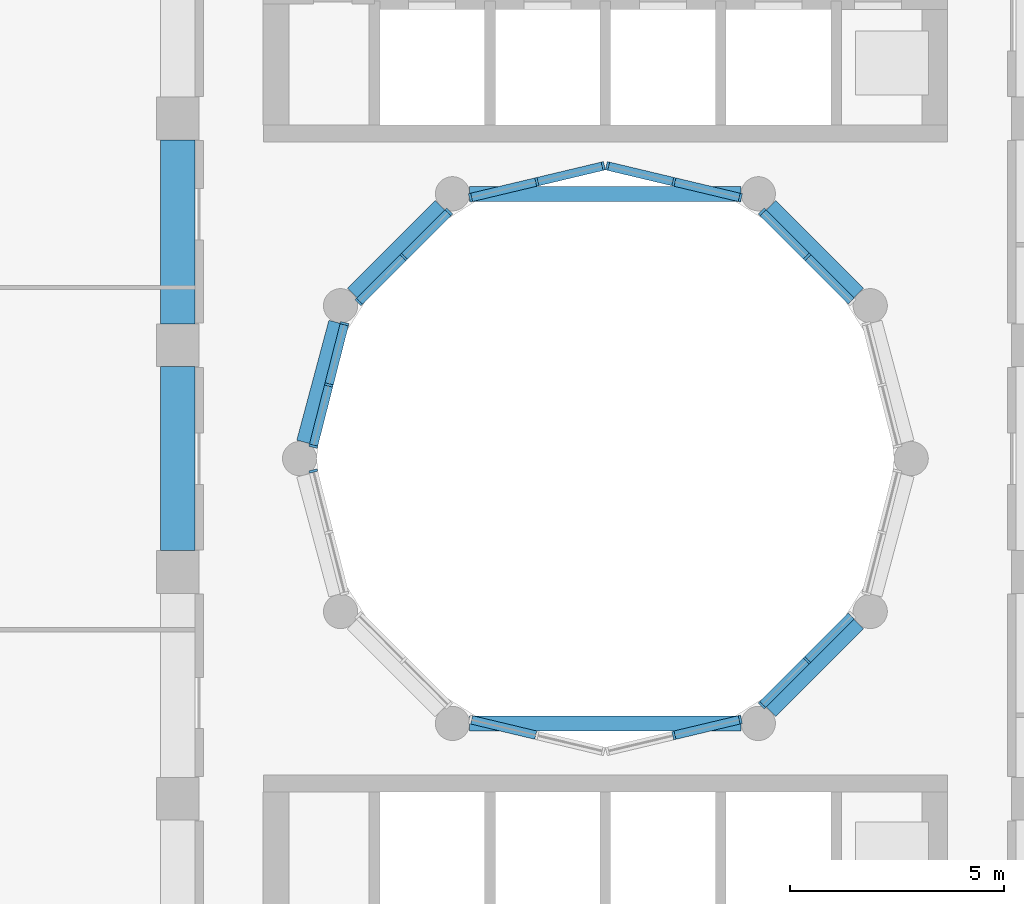
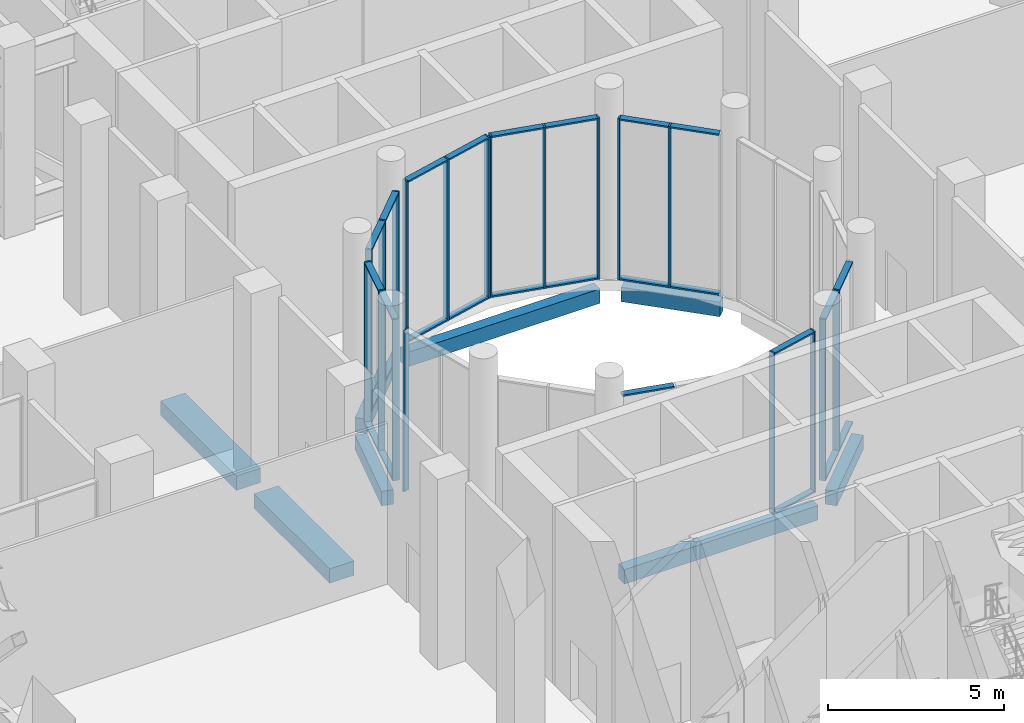
# One storey, part 3 of 21: 46 members, 8 beams, 9 elements without a shape of their own.
"""IFC4 building model written with IfcOpenShell, lengths in metres."""

from ifc_helpers import new_model, si_unit, direction, frame, origin, origin_2d, place, context, subcontext, project, spatial, rectangle, extrude, material, layer, layer_set, material_profile, profile_set, type_object, element, aggregate, save


model = new_model("IFC4")

# Units and contexts
model_context = context("Model", 3, precision=1e-05, world=origin(), true_north=direction((0.0, 1.0)))
body_context = subcontext(model_context, "Body", "Model", "MODEL_VIEW")
ifc_project = project(units=[si_unit("LENGTHUNIT", "METRE"), si_unit("AREAUNIT", "SQUARE_METRE"), si_unit("VOLUMEUNIT", "CUBIC_METRE"), si_unit("PLANEANGLEUNIT", "RADIAN"), si_unit("MASSUNIT", "GRAM", prefix="KILO")], contexts=[model_context])

# Site, building, storey
site_placement = place(None, origin())
site = spatial("IfcSite", under=ifc_project, at=site_placement, CompositionType="ELEMENT")
building_placement = place(site_placement, origin())
building = spatial("IfcBuilding", under=site, at=building_placement, Name="Nakaniwa Court", CompositionType="ELEMENT")
storey_placement = place(building_placement, frame((0.0, 0.0, 120.60009765625)))
storey = spatial("IfcBuildingStorey", under=building, at=storey_placement, Name="S2", CompositionType="ELEMENT", Elevation=120.60009765625)

# Curtain wall, members
ifc_material_1 = material(Name="Black anodised aluminium frame with dark low-E laminated double glazing", Category="aluminium")
ifc_layer = layer(ifc_material_1, 0.199951171875)
ifc_layer_set = layer_set([ifc_layer], Name="Black anodised aluminium frame with dark low-E laminated double glazing")
curtain_wall_type = type_object("IfcCurtainWallType", Name="Amenity and sky level curtain wall", PredefinedType="NOTDEFINED", material=ifc_layer_set)
curtain_wall_1_placement = place(storey_placement, origin())
curtain_wall_1 = element("IfcCurtainWall", 1, at=curtain_wall_1_placement, inside=storey, type_object=curtain_wall_type, Name="S2 curtain wall CW3 37", PredefinedType="NOTDEFINED")
ifc_material_2 = material(Name="Black anodised aluminium extrusion", Category="aluminium")
ifc_material_profile_1 = material_profile(ifc_material_2, rectangle(XDim=0.199951171875, YDim=0.054931640625, at=origin_2d()), Name="Amenity and sky level curtain wall mullion 55x200")
ifc_profile_set_1 = profile_set([ifc_material_profile_1], Name="Black anodised aluminium extrusion")
member_type_1 = type_object("IfcMemberType", Name="Amenity and sky level curtain wall mullion 55x200", PredefinedType="MULLION", material=ifc_profile_set_1)
member_1_placement = place(storey_placement, frame((84.715576171875, 75.284423828125, 0.0), z_axis=(0.0, 0.0, 1.0), x_axis=(0.707106781187, -0.707106781187, 0.0)))
member_1 = element("IfcMember", 2, at=member_1_placement, type_object=member_type_1, Name="CW3 mullion 2", PredefinedType="MULLION", context=body_context, shape_type="SweptSolid", body=[
    extrude(rectangle(XDim=0.199951171875, YDim=0.054931640625, at=origin_2d()), origin(), (0.0, 0.0, 1.0), 5.58984375),
])
member_2_placement = place(storey_placement, frame((83.66259765625, 74.2314453125, 0.0), z_axis=(0.0, 0.0, 1.0), x_axis=(0.707106781187, -0.707106781187, 0.0)))
member_2 = element("IfcMember", 3, at=member_2_placement, type_object=member_type_1, Name="CW3 mullion 3", PredefinedType="MULLION", context=body_context, shape_type="SweptSolid", body=[
    extrude(rectangle(XDim=0.199951171875, YDim=0.054931640625, at=origin_2d()), origin(), (0.0, 0.0, 1.0), 5.58984375),
])

curtain_wall_2_placement = place(storey_placement, origin())
curtain_wall_2 = element("IfcCurtainWall", 4, at=curtain_wall_2_placement, inside=storey, type_object=curtain_wall_type, Name="S2 curtain wall CW3 38", PredefinedType="NOTDEFINED")
member_3_placement = place(storey_placement, frame((83.153564453125, 73.898681640625, 0.0), z_axis=(0.0, 0.0, 1.0), x_axis=(0.231791306712, -0.972765537081, 0.0)))
member_3 = element("IfcMember", 5, at=member_3_placement, type_object=member_type_1, Name="CW3 mullion 1", PredefinedType="MULLION", context=body_context, shape_type="SweptSolid", body=[
    extrude(rectangle(XDim=0.199951171875, YDim=0.054931640625, at=origin_2d()), origin(), (0.0, 0.0, 1.0), 5.58984375),
])
member_4_placement = place(storey_placement, frame((81.601806640625, 73.52880859375, 0.0), z_axis=(0.0, 0.0, 1.0), x_axis=(0.231791306712, -0.972765537081, 0.0)))
member_4 = element("IfcMember", 6, at=member_4_placement, type_object=member_type_1, Name="CW3 mullion 2", PredefinedType="MULLION", context=body_context, shape_type="SweptSolid", body=[
    extrude(rectangle(XDim=0.199951171875, YDim=0.054931640625, at=origin_2d()), origin(), (0.0, 0.0, 1.0), 5.58984375),
])

# Curtain wall, member
curtain_wall_3_placement = place(storey_placement, origin())
curtain_wall_3 = element("IfcCurtainWall", 7, at=curtain_wall_3_placement, inside=storey, type_object=curtain_wall_type, Name="S2 curtain wall CW3 41", PredefinedType="NOTDEFINED")
member_5_placement = place(storey_placement, frame((73.170654296875, 79.70947265625, 0.0), z_axis=(0.0, 0.0, 1.0), x_axis=(-0.968986463302, -0.247113807661, 0.0)))
member_5 = element("IfcMember", 8, at=member_5_placement, type_object=member_type_1, Name="CW3 mullion 3", PredefinedType="MULLION", context=body_context, shape_type="SweptSolid", body=[
    extrude(rectangle(XDim=0.199951171875, YDim=0.054931640625, at=origin_2d()), origin(), (0.0, 0.0, 1.0), 5.58984375),
])
aggregate(curtain_wall_3, [member_5])

# Curtain wall, members
curtain_wall_4_placement = place(storey_placement, origin())
curtain_wall_4 = element("IfcCurtainWall", 9, at=curtain_wall_4_placement, inside=storey, type_object=curtain_wall_type, Name="S2 curtain wall CW3 42", PredefinedType="NOTDEFINED")
member_6_placement = place(storey_placement, frame((73.170654296875, 80.29052734375, 0.0), z_axis=(0.0, 0.0, 1.0), x_axis=(-0.968986463302, 0.247113807661, 0.0)))
member_6 = element("IfcMember", 10, at=member_6_placement, type_object=member_type_1, Name="CW3 mullion 1", PredefinedType="MULLION", context=body_context, shape_type="SweptSolid", body=[
    extrude(rectangle(XDim=0.199951171875, YDim=0.054931640625, at=origin_2d()), origin(), (0.0, 0.0, 1.0), 5.58984375),
])
member_7_placement = place(storey_placement, frame((73.53564453125, 81.72216796875, 0.0), z_axis=(0.0, 0.0, 1.0), x_axis=(-0.968986463302, 0.247113807661, 0.0)))
member_7 = element("IfcMember", 11, at=member_7_placement, type_object=member_type_1, Name="CW3 mullion 2", PredefinedType="MULLION", context=body_context, shape_type="SweptSolid", body=[
    extrude(rectangle(XDim=0.199951171875, YDim=0.054931640625, at=origin_2d()), origin(), (0.0, 0.0, 1.0), 5.58984375),
])
member_8_placement = place(storey_placement, frame((73.90087890625, 83.15380859375, 0.0), z_axis=(0.0, 0.0, 1.0), x_axis=(-0.968986463302, 0.247113807661, 0.0)))
member_8 = element("IfcMember", 12, at=member_8_placement, type_object=member_type_1, Name="CW3 mullion 3", PredefinedType="MULLION", context=body_context, shape_type="SweptSolid", body=[
    extrude(rectangle(XDim=0.199951171875, YDim=0.054931640625, at=origin_2d()), origin(), (0.0, 0.0, 1.0), 5.58984375),
])

curtain_wall_5_placement = place(storey_placement, origin())
curtain_wall_5 = element("IfcCurtainWall", 13, at=curtain_wall_5_placement, inside=storey, type_object=curtain_wall_type, Name="S2 curtain wall CW3 43", PredefinedType="NOTDEFINED")
member_9_placement = place(storey_placement, frame((74.2314453125, 83.66259765625, 0.0), z_axis=(0.0, 0.0, 1.0), x_axis=(-0.707106781187, 0.707106781187, 0.0)))
member_9 = element("IfcMember", 14, at=member_9_placement, type_object=member_type_1, Name="CW3 mullion 1", PredefinedType="MULLION", context=body_context, shape_type="SweptSolid", body=[
    extrude(rectangle(XDim=0.199951171875, YDim=0.054931640625, at=origin_2d()), origin(), (0.0, 0.0, 1.0), 5.58984375),
])
member_10_placement = place(storey_placement, frame((75.284423828125, 84.715576171875, 0.0), z_axis=(0.0, 0.0, 1.0), x_axis=(-0.707106781187, 0.707106781187, 0.0)))
member_10 = element("IfcMember", 15, at=member_10_placement, type_object=member_type_1, Name="CW3 mullion 2", PredefinedType="MULLION", context=body_context, shape_type="SweptSolid", body=[
    extrude(rectangle(XDim=0.199951171875, YDim=0.054931640625, at=origin_2d()), origin(), (0.0, 0.0, 1.0), 5.58984375),
])
member_11_placement = place(storey_placement, frame((76.33740234375, 85.7685546875, 0.0), z_axis=(0.0, 0.0, 1.0), x_axis=(-0.707106781187, 0.707106781187, 0.0)))
member_11 = element("IfcMember", 16, at=member_11_placement, type_object=member_type_1, Name="CW3 mullion 3", PredefinedType="MULLION", context=body_context, shape_type="SweptSolid", body=[
    extrude(rectangle(XDim=0.199951171875, YDim=0.054931640625, at=origin_2d()), origin(), (0.0, 0.0, 1.0), 5.58984375),
])

curtain_wall_6_placement = place(storey_placement, origin())
curtain_wall_6 = element("IfcCurtainWall", 17, at=curtain_wall_6_placement, inside=storey, type_object=curtain_wall_type, Name="S2 curtain wall CW3 44", PredefinedType="NOTDEFINED")
member_12_placement = place(storey_placement, frame((76.846435546875, 86.101318359375, 0.0), z_axis=(0.0, 0.0, 1.0), x_axis=(-0.231791306712, 0.972765537081, 0.0)))
member_12 = element("IfcMember", 18, at=member_12_placement, type_object=member_type_1, Name="CW3 mullion 1", PredefinedType="MULLION", context=body_context, shape_type="SweptSolid", body=[
    extrude(rectangle(XDim=0.199951171875, YDim=0.054931640625, at=origin_2d()), origin(), (0.0, 0.0, 1.0), 5.58984375),
])
member_13_placement = place(storey_placement, frame((78.398193359375, 86.47119140625, 0.0), z_axis=(0.0, 0.0, 1.0), x_axis=(-0.231791306712, 0.972765537081, 0.0)))
member_13 = element("IfcMember", 19, at=member_13_placement, type_object=member_type_1, Name="CW3 mullion 2", PredefinedType="MULLION", context=body_context, shape_type="SweptSolid", body=[
    extrude(rectangle(XDim=0.199951171875, YDim=0.054931640625, at=origin_2d()), origin(), (0.0, 0.0, 1.0), 5.58984375),
])
member_14_placement = place(storey_placement, frame((79.949951171875, 86.8408203125, 0.0), z_axis=(0.0, 0.0, 1.0), x_axis=(-0.231791306712, 0.972765537081, 0.0)))
member_14 = element("IfcMember", 20, at=member_14_placement, type_object=member_type_1, Name="CW3 mullion 3", PredefinedType="MULLION", context=body_context, shape_type="SweptSolid", body=[
    extrude(rectangle(XDim=0.199951171875, YDim=0.054931640625, at=origin_2d()), origin(), (0.0, 0.0, 1.0), 5.58984375),
])

curtain_wall_7_placement = place(storey_placement, origin())
curtain_wall_7 = element("IfcCurtainWall", 21, at=curtain_wall_7_placement, inside=storey, type_object=curtain_wall_type, Name="S2 curtain wall CW3 45", PredefinedType="NOTDEFINED")
member_15_placement = place(storey_placement, frame((80.050048828125, 86.8408203125, 0.0), z_axis=(0.0, 0.0, 1.0), x_axis=(0.231791306712, 0.972765537081, 0.0)))
member_15 = element("IfcMember", 22, at=member_15_placement, type_object=member_type_1, Name="CW3 mullion 1", PredefinedType="MULLION", context=body_context, shape_type="SweptSolid", body=[
    extrude(rectangle(XDim=0.199951171875, YDim=0.054931640625, at=origin_2d()), origin(), (0.0, 0.0, 1.0), 5.58984375),
])
member_16_placement = place(storey_placement, frame((81.601806640625, 86.47119140625, 0.0), z_axis=(0.0, 0.0, 1.0), x_axis=(0.231791306712, 0.972765537081, 0.0)))
member_16 = element("IfcMember", 23, at=member_16_placement, type_object=member_type_1, Name="CW3 mullion 2", PredefinedType="MULLION", context=body_context, shape_type="SweptSolid", body=[
    extrude(rectangle(XDim=0.199951171875, YDim=0.054931640625, at=origin_2d()), origin(), (0.0, 0.0, 1.0), 5.58984375),
])
member_17_placement = place(storey_placement, frame((83.153564453125, 86.101318359375, 0.0), z_axis=(0.0, 0.0, 1.0), x_axis=(0.231791306712, 0.972765537081, 0.0)))
member_17 = element("IfcMember", 24, at=member_17_placement, type_object=member_type_1, Name="CW3 mullion 3", PredefinedType="MULLION", context=body_context, shape_type="SweptSolid", body=[
    extrude(rectangle(XDim=0.199951171875, YDim=0.054931640625, at=origin_2d()), origin(), (0.0, 0.0, 1.0), 5.58984375),
])

curtain_wall_8_placement = place(storey_placement, origin())
curtain_wall_8 = element("IfcCurtainWall", 25, at=curtain_wall_8_placement, inside=storey, type_object=curtain_wall_type, Name="S2 curtain wall CW3 46", PredefinedType="NOTDEFINED")
member_18_placement = place(storey_placement, frame((83.66259765625, 85.7685546875, 0.0), z_axis=(0.0, 0.0, 1.0), x_axis=(0.707106781187, 0.707106781187, 0.0)))
member_18 = element("IfcMember", 26, at=member_18_placement, type_object=member_type_1, Name="CW3 mullion 1", PredefinedType="MULLION", context=body_context, shape_type="SweptSolid", body=[
    extrude(rectangle(XDim=0.199951171875, YDim=0.054931640625, at=origin_2d()), origin(), (0.0, 0.0, 1.0), 5.58984375),
])
member_19_placement = place(storey_placement, frame((84.715576171875, 84.715576171875, 0.0), z_axis=(0.0, 0.0, 1.0), x_axis=(0.707106781187, 0.707106781187, 0.0)))
member_19 = element("IfcMember", 27, at=member_19_placement, type_object=member_type_1, Name="CW3 mullion 2", PredefinedType="MULLION", context=body_context, shape_type="SweptSolid", body=[
    extrude(rectangle(XDim=0.199951171875, YDim=0.054931640625, at=origin_2d()), origin(), (0.0, 0.0, 1.0), 5.58984375),
])

# Member
ifc_material_profile_2 = material_profile(ifc_material_2, rectangle(XDim=0.199951171875, YDim=0.054931640625, at=origin_2d()), Name="Amenity and sky level curtain wall transom 55x200")
ifc_profile_set_2 = profile_set([ifc_material_profile_2], Name="Black anodised aluminium extrusion")
member_type_2 = type_object("IfcMemberType", Name="Amenity and sky level curtain wall transom 55x200", PredefinedType="USERDEFINED", material=ifc_profile_set_2)
member_20_placement = place(storey_placement, frame((85.7490234375, 76.31787109375, 0.02734375), z_axis=(-0.707106781187, -0.707106781187, 0.0), x_axis=(0.707106781187, -0.707106781187, 0.0)))
member_20 = element("IfcMember", 28, at=member_20_placement, type_object=member_type_2, Name="CW3 transom 1.1", ObjectType="TRANSOM", PredefinedType="USERDEFINED", context=body_context, shape_type="SweptSolid", body=[
    extrude(rectangle(XDim=0.199951171875, YDim=0.054931640625, at=origin_2d()), origin(), (0.0, 0.0, 1.0), 1.433837890625),
])

member_21_placement = place(storey_placement, frame((85.7490234375, 76.31787109375, 5.5625), z_axis=(-0.707106781187, -0.707106781187, 0.0), x_axis=(0.707106781187, -0.707106781187, 0.0)))
member_21 = element("IfcMember", 29, at=member_21_placement, type_object=member_type_2, Name="CW3 transom 1.2", ObjectType="TRANSOM", PredefinedType="USERDEFINED", context=body_context, shape_type="SweptSolid", body=[
    extrude(rectangle(XDim=0.199951171875, YDim=0.054931640625, at=origin_2d()), origin(), (0.0, 0.0, 1.0), 1.433837890625),
])

member_22_placement = place(storey_placement, frame((84.696044921875, 75.264892578125, 0.02734375), z_axis=(-0.707106781187, -0.707106781187, 0.0), x_axis=(0.707106781187, -0.707106781187, 0.0)))
member_22 = element("IfcMember", 30, at=member_22_placement, type_object=member_type_2, Name="CW3 transom 2.1", ObjectType="TRANSOM", PredefinedType="USERDEFINED", context=body_context, shape_type="SweptSolid", body=[
    extrude(rectangle(XDim=0.199951171875, YDim=0.054931640625, at=origin_2d()), origin(), (0.0, 0.0, 1.0), 1.433837890625),
])

member_23_placement = place(storey_placement, frame((84.696044921875, 75.264892578125, 5.5625), z_axis=(-0.707106781187, -0.707106781187, 0.0), x_axis=(0.707106781187, -0.707106781187, 0.0)))
member_23 = element("IfcMember", 31, at=member_23_placement, type_object=member_type_2, Name="CW3 transom 2.2", ObjectType="TRANSOM", PredefinedType="USERDEFINED", context=body_context, shape_type="SweptSolid", body=[
    extrude(rectangle(XDim=0.199951171875, YDim=0.054931640625, at=origin_2d()), origin(), (0.0, 0.0, 1.0), 1.433837890625),
])

aggregate(curtain_wall_1, [member_1, member_2, member_20, member_21, member_22, member_23])

member_24_placement = place(storey_placement, frame((83.126953125, 73.892333984375, 0.02734375), z_axis=(-0.972741550558, -0.231891948585, 0.0), x_axis=(0.231891948585, -0.972741550558, 0.0)))
member_24 = element("IfcMember", 32, at=member_24_placement, type_object=member_type_2, Name="CW3 transom 1.1", ObjectType="TRANSOM", PredefinedType="USERDEFINED", context=body_context, shape_type="SweptSolid", body=[
    extrude(rectangle(XDim=0.199951171875, YDim=0.054931640625, at=origin_2d()), origin(), (0.0, 0.0, 1.0), 1.540283203125),
])

member_25_placement = place(storey_placement, frame((83.126953125, 73.892333984375, 5.5625), z_axis=(-0.972741550558, -0.231891948585, 0.0), x_axis=(0.231891948585, -0.972741550558, 0.0)))
member_25 = element("IfcMember", 33, at=member_25_placement, type_object=member_type_2, Name="CW3 transom 1.2", ObjectType="TRANSOM", PredefinedType="USERDEFINED", context=body_context, shape_type="SweptSolid", body=[
    extrude(rectangle(XDim=0.199951171875, YDim=0.054931640625, at=origin_2d()), origin(), (0.0, 0.0, 1.0), 1.540283203125),
])

aggregate(curtain_wall_2, [member_3, member_4, member_24, member_25])

# Curtain wall, member
curtain_wall_9_placement = place(storey_placement, origin())
curtain_wall_9 = element("IfcCurtainWall", 34, at=curtain_wall_9_placement, inside=storey, type_object=curtain_wall_type, Name="S2 curtain wall CW3 39", PredefinedType="NOTDEFINED")
member_26_placement = place(storey_placement, frame((78.371337890625, 73.53515625, 5.5625), z_axis=(-0.972741550558, 0.231891948585, 0.0), x_axis=(-0.231891948585, -0.972741550558, 0.0)))
member_26 = element("IfcMember", 35, at=member_26_placement, type_object=member_type_2, Name="CW3 transom 2.2", ObjectType="TRANSOM", PredefinedType="USERDEFINED", context=body_context, shape_type="SweptSolid", body=[
    extrude(rectangle(XDim=0.199951171875, YDim=0.054931640625, at=origin_2d()), origin(), (0.0, 0.0, 1.0), 1.540283203125),
])
aggregate(curtain_wall_9, [member_26])

# Member
member_27_placement = place(storey_placement, frame((73.177490234375, 80.317138671875, 0.02734375), z_axis=(0.24697526524, 0.969021784255, 0.0), x_axis=(-0.969021784255, 0.24697526524, 0.0)))
member_27 = element("IfcMember", 36, at=member_27_placement, type_object=member_type_2, Name="CW3 transom 1.1", ObjectType="TRANSOM", PredefinedType="USERDEFINED", context=body_context, shape_type="SweptSolid", body=[
    extrude(rectangle(XDim=0.199951171875, YDim=0.054931640625, at=origin_2d()), origin(), (0.0, 0.0, 1.0), 1.42236328125),
])

member_28_placement = place(storey_placement, frame((73.177490234375, 80.317138671875, 5.5625), z_axis=(0.24697526524, 0.969021784255, 0.0), x_axis=(-0.969021784255, 0.24697526524, 0.0)))
member_28 = element("IfcMember", 37, at=member_28_placement, type_object=member_type_2, Name="CW3 transom 1.2", ObjectType="TRANSOM", PredefinedType="USERDEFINED", context=body_context, shape_type="SweptSolid", body=[
    extrude(rectangle(XDim=0.199951171875, YDim=0.054931640625, at=origin_2d()), origin(), (0.0, 0.0, 1.0), 1.42236328125),
])

member_29_placement = place(storey_placement, frame((73.54248046875, 81.748779296875, 0.02734375), z_axis=(0.247136415914, 0.968980697398, 0.0), x_axis=(-0.968980697398, 0.247136415914, 0.0)))
member_29 = element("IfcMember", 38, at=member_29_placement, type_object=member_type_2, Name="CW3 transom 2.1", ObjectType="TRANSOM", PredefinedType="USERDEFINED", context=body_context, shape_type="SweptSolid", body=[
    extrude(rectangle(XDim=0.199951171875, YDim=0.054931640625, at=origin_2d()), origin(), (0.0, 0.0, 1.0), 1.422607421875),
])

member_30_placement = place(storey_placement, frame((73.54248046875, 81.748779296875, 5.5625), z_axis=(0.247136415914, 0.968980697398, 0.0), x_axis=(-0.968980697398, 0.247136415914, 0.0)))
member_30 = element("IfcMember", 39, at=member_30_placement, type_object=member_type_2, Name="CW3 transom 2.2", ObjectType="TRANSOM", PredefinedType="USERDEFINED", context=body_context, shape_type="SweptSolid", body=[
    extrude(rectangle(XDim=0.199951171875, YDim=0.054931640625, at=origin_2d()), origin(), (0.0, 0.0, 1.0), 1.422607421875),
])

aggregate(curtain_wall_4, [member_6, member_7, member_8, member_27, member_28, member_29, member_30])

member_31_placement = place(storey_placement, frame((74.2509765625, 83.68212890625, 0.02734375), z_axis=(0.707106781187, 0.707106781187, 0.0), x_axis=(-0.707106781187, 0.707106781187, 0.0)))
member_31 = element("IfcMember", 40, at=member_31_placement, type_object=member_type_2, Name="CW3 transom 1.1", ObjectType="TRANSOM", PredefinedType="USERDEFINED", context=body_context, shape_type="SweptSolid", body=[
    extrude(rectangle(XDim=0.199951171875, YDim=0.054931640625, at=origin_2d()), origin(), (0.0, 0.0, 1.0), 1.433837890625),
])

member_32_placement = place(storey_placement, frame((74.2509765625, 83.68212890625, 5.5625), z_axis=(0.707106781187, 0.707106781187, 0.0), x_axis=(-0.707106781187, 0.707106781187, 0.0)))
member_32 = element("IfcMember", 41, at=member_32_placement, type_object=member_type_2, Name="CW3 transom 1.2", ObjectType="TRANSOM", PredefinedType="USERDEFINED", context=body_context, shape_type="SweptSolid", body=[
    extrude(rectangle(XDim=0.199951171875, YDim=0.054931640625, at=origin_2d()), origin(), (0.0, 0.0, 1.0), 1.433837890625),
])

member_33_placement = place(storey_placement, frame((75.303955078125, 84.735107421875, 0.02734375), z_axis=(0.707106781187, 0.707106781187, 0.0), x_axis=(-0.707106781187, 0.707106781187, 0.0)))
member_33 = element("IfcMember", 42, at=member_33_placement, type_object=member_type_2, Name="CW3 transom 2.1", ObjectType="TRANSOM", PredefinedType="USERDEFINED", context=body_context, shape_type="SweptSolid", body=[
    extrude(rectangle(XDim=0.199951171875, YDim=0.054931640625, at=origin_2d()), origin(), (0.0, 0.0, 1.0), 1.433837890625),
])

member_34_placement = place(storey_placement, frame((75.303955078125, 84.735107421875, 5.5625), z_axis=(0.707106781187, 0.707106781187, 0.0), x_axis=(-0.707106781187, 0.707106781187, 0.0)))
member_34 = element("IfcMember", 43, at=member_34_placement, type_object=member_type_2, Name="CW3 transom 2.2", ObjectType="TRANSOM", PredefinedType="USERDEFINED", context=body_context, shape_type="SweptSolid", body=[
    extrude(rectangle(XDim=0.199951171875, YDim=0.054931640625, at=origin_2d()), origin(), (0.0, 0.0, 1.0), 1.433837890625),
])

aggregate(curtain_wall_5, [member_9, member_10, member_11, member_31, member_32, member_33, member_34])

member_35_placement = place(storey_placement, frame((76.873046875, 86.107666015625, 0.02734375), z_axis=(0.972741550558, 0.231891948585, 0.0), x_axis=(-0.231891948585, 0.972741550558, 0.0)))
member_35 = element("IfcMember", 44, at=member_35_placement, type_object=member_type_2, Name="CW3 transom 1.1", ObjectType="TRANSOM", PredefinedType="USERDEFINED", context=body_context, shape_type="SweptSolid", body=[
    extrude(rectangle(XDim=0.199951171875, YDim=0.054931640625, at=origin_2d()), origin(), (0.0, 0.0, 1.0), 1.540283203125),
])

member_36_placement = place(storey_placement, frame((76.873046875, 86.107666015625, 5.5625), z_axis=(0.972741550558, 0.231891948585, 0.0), x_axis=(-0.231891948585, 0.972741550558, 0.0)))
member_36 = element("IfcMember", 45, at=member_36_placement, type_object=member_type_2, Name="CW3 transom 1.2", ObjectType="TRANSOM", PredefinedType="USERDEFINED", context=body_context, shape_type="SweptSolid", body=[
    extrude(rectangle(XDim=0.199951171875, YDim=0.054931640625, at=origin_2d()), origin(), (0.0, 0.0, 1.0), 1.540283203125),
])

member_37_placement = place(storey_placement, frame((78.425048828125, 86.4775390625, 0.02734375), z_axis=(0.972777294296, 0.231741959306, 0.0), x_axis=(-0.231741959306, 0.972777294296, 0.0)))
member_37 = element("IfcMember", 46, at=member_37_placement, type_object=member_type_2, Name="CW3 transom 2.1", ObjectType="TRANSOM", PredefinedType="USERDEFINED", context=body_context, shape_type="SweptSolid", body=[
    extrude(rectangle(XDim=0.199951171875, YDim=0.054931640625, at=origin_2d()), origin(), (0.0, 0.0, 1.0), 1.540283203125),
])

member_38_placement = place(storey_placement, frame((78.425048828125, 86.4775390625, 5.5625), z_axis=(0.972777294296, 0.231741959306, 0.0), x_axis=(-0.231741959306, 0.972777294296, 0.0)))
member_38 = element("IfcMember", 47, at=member_38_placement, type_object=member_type_2, Name="CW3 transom 2.2", ObjectType="TRANSOM", PredefinedType="USERDEFINED", context=body_context, shape_type="SweptSolid", body=[
    extrude(rectangle(XDim=0.199951171875, YDim=0.054931640625, at=origin_2d()), origin(), (0.0, 0.0, 1.0), 1.540283203125),
])

aggregate(curtain_wall_6, [member_12, member_13, member_14, member_35, member_36, member_37, member_38])

member_39_placement = place(storey_placement, frame((80.07666015625, 86.83447265625, 0.02734375), z_axis=(0.972777294296, -0.231741959306, 0.0), x_axis=(0.231741959306, 0.972777294296, 0.0)))
member_39 = element("IfcMember", 48, at=member_39_placement, type_object=member_type_2, Name="CW3 transom 1.1", ObjectType="TRANSOM", PredefinedType="USERDEFINED", context=body_context, shape_type="SweptSolid", body=[
    extrude(rectangle(XDim=0.199951171875, YDim=0.054931640625, at=origin_2d()), origin(), (0.0, 0.0, 1.0), 1.540283203125),
])

member_40_placement = place(storey_placement, frame((80.07666015625, 86.83447265625, 5.5625), z_axis=(0.972777294296, -0.231741959306, 0.0), x_axis=(0.231741959306, 0.972777294296, 0.0)))
member_40 = element("IfcMember", 49, at=member_40_placement, type_object=member_type_2, Name="CW3 transom 1.2", ObjectType="TRANSOM", PredefinedType="USERDEFINED", context=body_context, shape_type="SweptSolid", body=[
    extrude(rectangle(XDim=0.199951171875, YDim=0.054931640625, at=origin_2d()), origin(), (0.0, 0.0, 1.0), 1.540283203125),
])

member_41_placement = place(storey_placement, frame((81.628662109375, 86.46484375, 0.02734375), z_axis=(0.972741550558, -0.231891948585, 0.0), x_axis=(0.231891948585, 0.972741550558, 0.0)))
member_41 = element("IfcMember", 50, at=member_41_placement, type_object=member_type_2, Name="CW3 transom 2.1", ObjectType="TRANSOM", PredefinedType="USERDEFINED", context=body_context, shape_type="SweptSolid", body=[
    extrude(rectangle(XDim=0.199951171875, YDim=0.054931640625, at=origin_2d()), origin(), (0.0, 0.0, 1.0), 1.540283203125),
])

member_42_placement = place(storey_placement, frame((81.628662109375, 86.46484375, 5.5625), z_axis=(0.972741550558, -0.231891948585, 0.0), x_axis=(0.231891948585, 0.972741550558, 0.0)))
member_42 = element("IfcMember", 51, at=member_42_placement, type_object=member_type_2, Name="CW3 transom 2.2", ObjectType="TRANSOM", PredefinedType="USERDEFINED", context=body_context, shape_type="SweptSolid", body=[
    extrude(rectangle(XDim=0.199951171875, YDim=0.054931640625, at=origin_2d()), origin(), (0.0, 0.0, 1.0), 1.540283203125),
])

aggregate(curtain_wall_7, [member_15, member_16, member_17, member_39, member_40, member_41, member_42])

member_43_placement = place(storey_placement, frame((83.68212890625, 85.7490234375, 0.02734375), z_axis=(0.707106781187, -0.707106781187, 0.0), x_axis=(0.707106781187, 0.707106781187, 0.0)))
member_43 = element("IfcMember", 52, at=member_43_placement, type_object=member_type_2, Name="CW3 transom 1.1", ObjectType="TRANSOM", PredefinedType="USERDEFINED", context=body_context, shape_type="SweptSolid", body=[
    extrude(rectangle(XDim=0.199951171875, YDim=0.054931640625, at=origin_2d()), origin(), (0.0, 0.0, 1.0), 1.433837890625),
])

member_44_placement = place(storey_placement, frame((83.68212890625, 85.7490234375, 5.5625), z_axis=(0.707106781187, -0.707106781187, 0.0), x_axis=(0.707106781187, 0.707106781187, 0.0)))
member_44 = element("IfcMember", 53, at=member_44_placement, type_object=member_type_2, Name="CW3 transom 1.2", ObjectType="TRANSOM", PredefinedType="USERDEFINED", context=body_context, shape_type="SweptSolid", body=[
    extrude(rectangle(XDim=0.199951171875, YDim=0.054931640625, at=origin_2d()), origin(), (0.0, 0.0, 1.0), 1.433837890625),
])

member_45_placement = place(storey_placement, frame((84.735107421875, 84.696044921875, 0.02734375), z_axis=(0.707106781187, -0.707106781187, 0.0), x_axis=(0.707106781187, 0.707106781187, 0.0)))
member_45 = element("IfcMember", 54, at=member_45_placement, type_object=member_type_2, Name="CW3 transom 2.1", ObjectType="TRANSOM", PredefinedType="USERDEFINED", context=body_context, shape_type="SweptSolid", body=[
    extrude(rectangle(XDim=0.199951171875, YDim=0.054931640625, at=origin_2d()), origin(), (0.0, 0.0, 1.0), 1.433837890625),
])

member_46_placement = place(storey_placement, frame((84.735107421875, 84.696044921875, 5.5625), z_axis=(0.707106781187, -0.707106781187, 0.0), x_axis=(0.707106781187, 0.707106781187, 0.0)))
member_46 = element("IfcMember", 55, at=member_46_placement, type_object=member_type_2, Name="CW3 transom 2.2", ObjectType="TRANSOM", PredefinedType="USERDEFINED", context=body_context, shape_type="SweptSolid", body=[
    extrude(rectangle(XDim=0.199951171875, YDim=0.054931640625, at=origin_2d()), origin(), (0.0, 0.0, 1.0), 1.433837890625),
])

aggregate(curtain_wall_8, [member_18, member_19, member_43, member_44, member_45, member_46])

# Beams
ifc_material_3 = material(Name="Concrete C80/100", Category="concrete")
ifc_material_profile_3 = material_profile(ifc_material_3, rectangle(XDim=0.35009765625, YDim=0.5, at=origin_2d()), Name="Concrete C80/100 RC 350x500 ring beam")
ifc_profile_set_3 = profile_set([ifc_material_profile_3], Name="Concrete C80/100")
beam_type_1 = type_object("IfcBeamType", Name="Concrete C80/100 RC 350x500 ring beam", PredefinedType="BEAM", material=ifc_profile_set_3)
beam_1_placement = place(storey_placement, frame((85.9091796875, 83.85791015625, -0.60009765625), z_axis=(-0.707106781187, 0.707106781187, 0.0), x_axis=(-0.707106781187, -0.707106781187, 0.0)))
element("IfcBeam", 56, at=beam_1_placement, inside=storey, type_object=beam_type_1, Name="RING BEAM", PredefinedType="BEAM", context=body_context, shape_type="SweptSolid", body=[
    extrude(rectangle(XDim=0.35009765625, YDim=0.5, at=origin_2d()), origin(), (0.0, 0.0, 1.0), 2.90087890625),
])
beam_2_placement = place(storey_placement, frame((83.175048828125, 86.192138671875, -0.60009765625), z_axis=(-1.0, 0.0, 0.0), x_axis=(0.0, -1.0, 0.0)))
element("IfcBeam", 57, at=beam_2_placement, inside=storey, type_object=beam_type_1, Name="RING BEAM", PredefinedType="BEAM", context=body_context, shape_type="SweptSolid", body=[
    extrude(rectangle(XDim=0.35009765625, YDim=0.5, at=origin_2d()), origin(), (0.0, 0.0, 1.0), 6.35009765625),
])
beam_3_placement = place(storey_placement, frame((76.14208984375, 85.9091796875, -0.60009765625), z_axis=(-0.707106781187, -0.707106781187, 0.0), x_axis=(0.707106781187, -0.707106781187, 0.0)))
element("IfcBeam", 58, at=beam_3_placement, inside=storey, type_object=beam_type_1, Name="RING BEAM", PredefinedType="BEAM", context=body_context, shape_type="SweptSolid", body=[
    extrude(rectangle(XDim=0.35009765625, YDim=0.5, at=origin_2d()), origin(), (0.0, 0.0, 1.0), 2.90087890625),
])
beam_4_placement = place(storey_placement, frame((73.704345703125, 83.188720703125, -0.60009765625), z_axis=(-0.258778150207, -0.965936783115, 0.0), x_axis=(0.965936783115, -0.258778150207, 0.0)))
element("IfcBeam", 59, at=beam_4_placement, inside=storey, type_object=beam_type_1, Name="RING BEAM", PredefinedType="BEAM", context=body_context, shape_type="SweptSolid", body=[
    extrude(rectangle(XDim=0.35009765625, YDim=0.5, at=origin_2d()), origin(), (0.0, 0.0, 1.0), 2.901123046875),
])
beam_5_placement = place(storey_placement, frame((76.824951171875, 73.807861328125, -0.60009765625), z_axis=(1.0, 0.0, 0.0), x_axis=(0.0, 1.0, 0.0)))
element("IfcBeam", 60, at=beam_5_placement, inside=storey, type_object=beam_type_1, Name="RING BEAM", PredefinedType="BEAM", context=body_context, shape_type="SweptSolid", body=[
    extrude(rectangle(XDim=0.35009765625, YDim=0.5, at=origin_2d()), origin(), (0.0, 0.0, 1.0), 6.35009765625),
])
beam_6_placement = place(storey_placement, frame((83.85791015625, 74.0908203125, -0.60009765625), z_axis=(0.707106781187, 0.707106781187, 0.0), x_axis=(-0.707106781187, 0.707106781187, 0.0)))
element("IfcBeam", 61, at=beam_6_placement, inside=storey, type_object=beam_type_1, Name="RING BEAM", PredefinedType="BEAM", context=body_context, shape_type="SweptSolid", body=[
    extrude(rectangle(XDim=0.35009765625, YDim=0.5, at=origin_2d()), origin(), (0.0, 0.0, 1.0), 2.90087890625),
])
ifc_material_profile_4 = material_profile(ifc_material_3, rectangle(XDim=0.800048828125, YDim=0.5, at=origin_2d()), Name="Concrete C80/100 RC 800x500 ring beam")
ifc_profile_set_4 = profile_set([ifc_material_profile_4], Name="Concrete C80/100")
beam_type_2 = type_object("IfcBeamType", Name="Concrete C80/100 RC 800x500 ring beam", PredefinedType="BEAM", material=ifc_profile_set_4)
beam_7_placement = place(storey_placement, frame((70.0, 87.449951171875, -0.60009765625), z_axis=(0.0, -1.0, 0.0), x_axis=(1.0, 0.0, 0.0)))
element("IfcBeam", 62, at=beam_7_placement, inside=storey, type_object=beam_type_2, Name="RING BEAM", PredefinedType="BEAM", context=body_context, shape_type="SweptSolid", body=[
    extrude(rectangle(XDim=0.800048828125, YDim=0.5, at=origin_2d()), origin(), (0.0, 0.0, 1.0), 4.300048828125),
])
beam_8_placement = place(storey_placement, frame((70.0, 82.14990234375, -0.60009765625), z_axis=(0.0, -1.0, 0.0), x_axis=(1.0, 0.0, 0.0)))
element("IfcBeam", 63, at=beam_8_placement, inside=storey, type_object=beam_type_2, Name="RING BEAM", PredefinedType="BEAM", context=body_context, shape_type="SweptSolid", body=[
    extrude(rectangle(XDim=0.800048828125, YDim=0.5, at=origin_2d()), origin(), (0.0, 0.0, 1.0), 4.2998046875),
])

save(model, "model.ifc")
